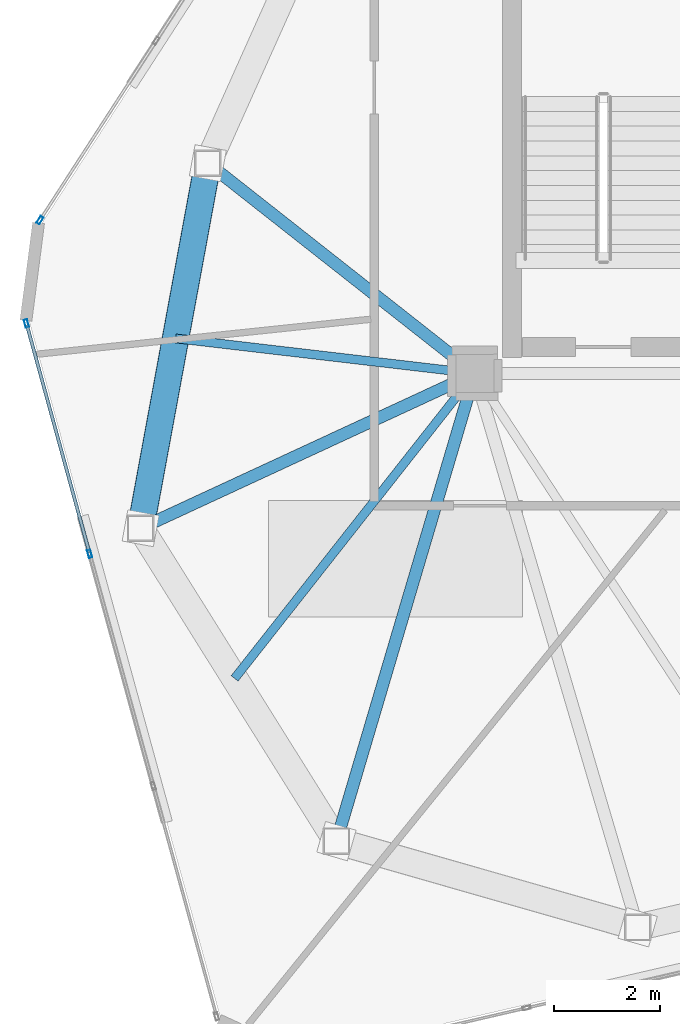
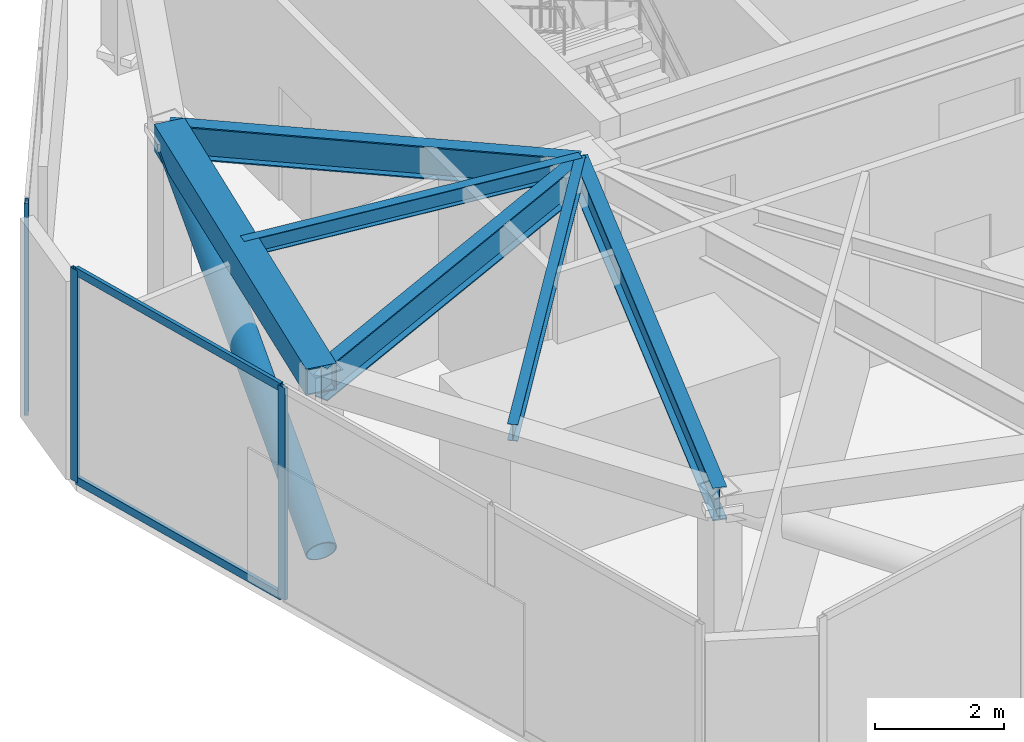
# One storey, part 5 of 21: 6 beams, 6 members, 2 elements without a shape of their own.
"""IFC4 building model written with IfcOpenShell, lengths in metres."""

import ifcopenshell
import ifcopenshell.guid

model = None  # the IFC model being written
_history = None  # IfcOwnerHistory: only IFC2X3 demands one
_inside = {}  # id of a spatial element -> (the spatial element, [elements in it])
_under = {}  # id of a project, library or spatial element -> (it, [spatial elements below it])
_declared = {}  # id of a project -> (the project, [libraries it declares])
_typed = {}  # id of a type object -> (the type object, [elements of that type])
_made_of = {}  # id of a material, layer set ... -> (it, [elements and type objects made of it])


def new_model(schema):
    """Start an empty IFC model of exactly this schema.

    Asked for "IFC4X3", IfcOpenShell would pick the latest addendum, in which some entities
    have other attributes; the version numbers below select the first issue.
    IFC2X3 requires an IfcOwnerHistory on every rooted entity: one is made here for all.
    """
    global model, _history
    if schema == "IFC4X3":
        model = ifcopenshell.file(schema_version=(4, 3, 0, 0))
    else:
        model = ifcopenshell.file(schema=schema)
    _inside.clear()
    _under.clear()
    _declared.clear()
    _typed.clear()
    _made_of.clear()
    _history = None
    if model.schema == "IFC2X3":
        org = make("IfcOrganization", Name="unknown")
        user = make(
            "IfcPersonAndOrganization",
            ThePerson=make("IfcPerson", FamilyName="unknown"),
            TheOrganization=org,
        )
        app = make(
            "IfcApplication",
            ApplicationDeveloper=org,
            Version="unknown",
            ApplicationFullName="unknown",
            ApplicationIdentifier="unknown",
        )
        _history = make(
            "IfcOwnerHistory",
            OwningUser=user,
            OwningApplication=app,
            ChangeAction="ADDED",
            CreationDate=0,
        )
    return model


def make(cls, **values):
    """One entity of the class cls with the attributes given. An attribute that is None is left unset."""
    return model.create_entity(
        cls, **{name: value for name, value in values.items() if value is not None}
    )


def rooted(cls, **values):
    """An entity with a GlobalId (a new one), such as an element, a storey or a relation."""
    return make(cls, GlobalId=ifcopenshell.guid.new(), OwnerHistory=_history, **values)


def si_unit(unit_type, name, prefix=None):
    """IfcSIUnit, for example si_unit("LENGTHUNIT", "METRE", prefix="MILLI")."""
    return make("IfcSIUnit", UnitType=unit_type, Prefix=prefix, Name=name)


def assignment(units):
    """IfcUnitAssignment: the units of a project."""
    return None if units is None else make("IfcUnitAssignment", Units=units)


def point(xyz):
    """IfcCartesianPoint."""
    return None if xyz is None else make("IfcCartesianPoint", Coordinates=xyz)


def direction(xyz):
    """IfcDirection."""
    return None if xyz is None else make("IfcDirection", DirectionRatios=xyz)


def frame(location, z_axis=None, x_axis=None):
    """IfcAxis2Placement3D, a coordinate frame: its origin and axes. An axis left out is left unset."""
    return make(
        "IfcAxis2Placement3D",
        Location=point(location),
        Axis=direction(z_axis),
        RefDirection=direction(x_axis),
    )


def frame_2d(location, x_axis=None):
    """IfcAxis2Placement2D, a coordinate frame in the plane: its origin and x axis."""
    return make(
        "IfcAxis2Placement2D", Location=point(location), RefDirection=direction(x_axis)
    )


def origin():
    """The frame at (0, 0, 0) with its axes left unset."""
    return frame((0.0, 0.0, 0.0))


def origin_2d():
    """The frame at (0, 0) in the plane with its x axis left unset."""
    return frame_2d((0.0, 0.0))


def place(relative_to, where):
    """IfcLocalPlacement: puts the frame where relative to a parent placement (None: the world)."""
    return make(
        "IfcLocalPlacement", PlacementRelTo=relative_to, RelativePlacement=where
    )


def context(
    kind, dimensions, precision=None, world=None, true_north=None, identifier=None
):
    """IfcGeometricRepresentationContext, for example the 3D "Model" context."""
    return make(
        "IfcGeometricRepresentationContext",
        ContextIdentifier=identifier,
        ContextType=kind,
        CoordinateSpaceDimension=dimensions,
        Precision=precision,
        WorldCoordinateSystem=world,
        TrueNorth=true_north,
    )


def subcontext(parent, identifier, kind, view, scale=None):
    """IfcGeometricRepresentationSubContext, for example "Body" below "Model"."""
    return make(
        "IfcGeometricRepresentationSubContext",
        ContextIdentifier=identifier,
        ContextType=kind,
        ParentContext=parent,
        TargetScale=scale,
        TargetView=view,
    )


def project(units=None, contexts=None):
    """IfcProject with its units and contexts."""
    return rooted(
        "IfcProject",
        Name="project",
        RepresentationContexts=contexts,
        UnitsInContext=assignment(units),
    )


def spatial(cls, under=None, at=None, **own):
    """A site, building, storey or space (cls), placed at a placement, below another one or the project."""
    s = rooted(cls, ObjectPlacement=at, **own)
    if under is not None:
        _under.setdefault(under.id(), (under, []))[1].append(s)
    return s


def profile(cls, at=None, kind="AREA", **sizes):
    """A parametric profile (cls). Its sizes go by their IFC names, for example OverallWidth=200.0."""
    return make(cls, ProfileType=kind, Position=at, **sizes)


def hollow_rectangle(**sizes):
    """IfcRectangleHollowProfileDef."""
    return profile("IfcRectangleHollowProfileDef", **sizes)


def hollow_circle(**sizes):
    """IfcCircleHollowProfileDef."""
    return profile("IfcCircleHollowProfileDef", **sizes)


def i_section(**sizes):
    """IfcIShapeProfileDef."""
    return profile("IfcIShapeProfileDef", **sizes)


def extrude(swept, where, along, depth):
    """IfcExtrudedAreaSolid: the profile swept, set in the frame where, extruded along a direction by depth."""
    return make(
        "IfcExtrudedAreaSolid",
        SweptArea=swept,
        Position=where,
        ExtrudedDirection=direction(along),
        Depth=depth,
    )


def shape(context_of_items, identifier, shape_type, items):
    """IfcShapeRepresentation: the items that make up one representation, for example the "Body"."""
    return make(
        "IfcShapeRepresentation",
        ContextOfItems=context_of_items,
        RepresentationIdentifier=identifier,
        RepresentationType=shape_type,
        Items=items,
    )


def source(mapping_origin, context_of_items, identifier, shape_type, items):
    """IfcRepresentationMap: a shape defined once, which mapped items show again and again."""
    return make(
        "IfcRepresentationMap",
        MappingOrigin=mapping_origin,
        MappedRepresentation=shape(context_of_items, identifier, shape_type, items),
    )


def transform(
    local_origin,
    x_axis=None,
    y_axis=None,
    z_axis=None,
    scale=None,
    scale2=None,
    scale3=None,
    uniform=True,
):
    """IfcCartesianTransformationOperator3D, or its non-uniform kind. x_axis, y_axis, z_axis: its Axis1, 2, 3."""
    if uniform:
        return make(
            "IfcCartesianTransformationOperator3D",
            Axis1=direction(x_axis),
            Axis2=direction(y_axis),
            LocalOrigin=point(local_origin),
            Scale=scale,
            Axis3=direction(z_axis),
        )
    return make(
        "IfcCartesianTransformationOperator3DnonUniform",
        Axis1=direction(x_axis),
        Axis2=direction(y_axis),
        LocalOrigin=point(local_origin),
        Scale=scale,
        Axis3=direction(z_axis),
        Scale2=scale2,
        Scale3=scale3,
    )


def mapped(mapping_source, mapping_target):
    """IfcMappedItem: shows the shape of a source again, moved by a transform."""
    return make(
        "IfcMappedItem", MappingSource=mapping_source, MappingTarget=mapping_target
    )


def material(Name=None, Category=None):
    """IfcMaterial."""
    return make("IfcMaterial", Name=Name, Category=Category)


def layer(
    of_material, thickness, ventilated=None, Name=None, Category=None, Priority=None
):
    """IfcMaterialLayer: one layer of a wall or slab, of a material (None: an air gap)."""
    return make(
        "IfcMaterialLayer",
        Material=of_material,
        LayerThickness=thickness,
        IsVentilated=ventilated,
        Name=Name,
        Category=Category,
        Priority=Priority,
    )


def layer_set(layers, Name=None):
    """IfcMaterialLayerSet."""
    return make("IfcMaterialLayerSet", MaterialLayers=layers, LayerSetName=Name)


def material_profile(
    of_material, cross_section, Name=None, Category=None, Priority=None
):
    """IfcMaterialProfile: a cross section and its material."""
    return make(
        "IfcMaterialProfile",
        Name=Name,
        Material=of_material,
        Profile=cross_section,
        Priority=Priority,
        Category=Category,
    )


def profile_set(profiles, Name=None, composite=None):
    """IfcMaterialProfileSet."""
    return make(
        "IfcMaterialProfileSet",
        Name=Name,
        MaterialProfiles=profiles,
        CompositeProfile=composite,
    )


def made_of(thing, what):
    """Note that an element or type object is made of a material, layer set ...; save() writes the relation."""
    if what is not None:
        _made_of.setdefault(what.id(), (what, []))[1].append(thing)
    return thing


def type_object(cls, material=None, **own):
    """A type object (cls), such as IfcWallType, which elements share."""
    return made_of(rooted(cls, **own), material)


def type_shapes(of_type, sources):
    """Give a type object the sources (RepresentationMaps) that its elements show as mapped items."""
    of_type.RepresentationMaps = sources


def element(
    cls,
    number,
    at=None,
    inside=None,
    cuts=None,
    type_object=None,
    material=None,
    context=None,
    identifier="Body",
    shape_type=None,
    held_by="IfcProductDefinitionShape",
    body=None,
    shapes=None,
    **own,
):
    """One element of the class cls, such as IfcWall. Its Tag is "e" and its number.

    at: its placement. inside: the storey or other place that contains it. cuts: it is an
    opening in that element (IfcRelVoidsElement). A single representation is given by context,
    identifier, shape_type and body (its items); several are given by shapes. held_by: the class
    of the entity that holds the representations. save() writes the other relations.
    """
    e = rooted(cls, Tag="e%d" % number, ObjectPlacement=at, **own)
    if body is not None:
        shapes = [shape(context, identifier, shape_type, body)]
    if shapes is not None:
        e.Representation = make(held_by, Representations=shapes)
    if inside is not None:
        _inside.setdefault(inside.id(), (inside, []))[1].append(e)
    if cuts is not None:
        rooted(
            "IfcRelVoidsElement", RelatingBuildingElement=cuts, RelatedOpeningElement=e
        )
    if type_object is not None:
        _typed.setdefault(type_object.id(), (type_object, []))[1].append(e)
    return made_of(e, material)


def aggregate(whole, parts):
    """IfcRelAggregates: a whole, such as a stair, and the parts it consists of."""
    return rooted("IfcRelAggregates", RelatingObject=whole, RelatedObjects=parts)


def save(model, path):
    """Write the relations noted so far, then the file.

    IfcRelAggregates (storeys below a building ...), IfcRelContainedInSpatialStructure (elements
    in a storey), IfcRelDefinesByType, IfcRelAssociatesMaterial and IfcRelDeclares: one each for
    every whole, place, type object, material and project.
    """
    for whole, parts in _under.values():
        aggregate(whole, parts)
    for where, things in _inside.values():
        rooted(
            "IfcRelContainedInSpatialStructure",
            RelatedElements=things,
            RelatingStructure=where,
        )
    for kind, things in _typed.values():
        rooted("IfcRelDefinesByType", RelatedObjects=things, RelatingType=kind)
    for what, things in _made_of.values():
        rooted("IfcRelAssociatesMaterial", RelatedObjects=things, RelatingMaterial=what)
    for by, libraries in _declared.values():
        rooted("IfcRelDeclares", RelatingContext=by, RelatedDefinitions=libraries)
    model.write(path)


model = new_model("IFC4")

# Units and contexts
model_context = context("Model", 3, precision=1e-05, world=origin(), true_north=direction((0.0, 1.0)))
body_context = subcontext(model_context, "Body", "Model", "MODEL_VIEW")
ifc_project = project(units=[si_unit("LENGTHUNIT", "METRE"), si_unit("AREAUNIT", "SQUARE_METRE"), si_unit("VOLUMEUNIT", "CUBIC_METRE"), si_unit("PLANEANGLEUNIT", "RADIAN"), si_unit("MASSUNIT", "GRAM", prefix="KILO")], contexts=[model_context])

# Site, building, storey
site_placement = place(None, origin())
site = spatial("IfcSite", under=ifc_project, at=site_placement, CompositionType="ELEMENT")
building_placement = place(site_placement, origin())
building = spatial("IfcBuilding", under=site, at=building_placement, Name="Talar Marvaseh", CompositionType="ELEMENT")
storey_placement = place(building_placement, frame((0.0, 0.0, 304.0)))
storey = spatial("IfcBuildingStorey", under=building, at=storey_placement, Name="L81", CompositionType="ELEMENT", Elevation=304.0)

# Beams
ifc_material_1 = material(Name="Steel S460", Category="steel")
ifc_material_profile_1 = material_profile(ifc_material_1, hollow_rectangle(XDim=0.5, YDim=0.5, WallThickness=0.02490234375, at=origin_2d()), Name="BOX500x500x25")
ifc_profile_set_1 = profile_set([ifc_material_profile_1], Name="Steel S460")
beam_type_1 = type_object("IfcBeamType", Name="Crown Frame Top Ring Beam BOX500x500x25", PredefinedType="BEAM", material=ifc_profile_set_1)
beam_1_placement = place(storey_placement, frame((12.388916015625, 22.576904296875, 3.489990234375), z_axis=(0.18106135948, 0.983471801377, 0.0), x_axis=(-0.983471801377, 0.18106135948, 0.0)))
element("IfcBeam", 1, at=beam_1_placement, inside=storey, type_object=beam_type_1, Name="L81 Crown Frame Top Ring Beam BOX500x500x25", PredefinedType="BEAM", context=body_context, shape_type="SweptSolid", body=[
    extrude(hollow_rectangle(XDim=0.5, YDim=0.5, WallThickness=0.02490234375, at=origin_2d()), origin(), (0.0, 0.0, 1.0), 7.0087890625),
])
ifc_material_2 = material(Name="Steel S355", Category="steel")
ifc_material_profile_2 = material_profile(ifc_material_2, i_section(OverallWidth=0.166015625, OverallDepth=0.31298828125, WebThickness=0.006591796875, FlangeThickness=0.01123046875, at=origin_2d()), Name="W310x45")
ifc_profile_set_2 = profile_set([ifc_material_profile_2], Name="Steel S355")
beam_type_2 = type_object("IfcBeamType", Name="Zone 3 Secondary Floor Joist W310x45", PredefinedType="JOIST", material=ifc_profile_set_2)
beam_2_placement = place(storey_placement, frame((13.048828125, 26.161376953125, 3.58349609375), z_axis=(0.993221011039, -0.116241228622, 0.0), x_axis=(0.116241228622, 0.993221011039, 0.0)))
element("IfcBeam", 2, at=beam_2_placement, inside=storey, type_object=beam_type_2, Name="L81 Zone 3 Secondary Floor Joist W310x45", PredefinedType="JOIST", context=body_context, shape_type="SweptSolid", body=[
    extrude(i_section(OverallWidth=0.166015625, OverallDepth=0.31298828125, WebThickness=0.006591796875, FlangeThickness=0.01123046875, at=origin_2d()), origin(), (0.0, 0.0, 1.0), 5.689697265625),
])
beam_3_placement = place(storey_placement, frame((14.1640625, 19.74072265625, 3.58349609375), z_axis=(0.618727137907, 0.785605962819, 0.0), x_axis=(-0.785605962819, 0.618727137907, 0.0)))
element("IfcBeam", 3, at=beam_3_placement, inside=storey, type_object=beam_type_2, Name="L81 Zone 3 Secondary Floor Joist W310x45", PredefinedType="JOIST", context=body_context, shape_type="SweptSolid", body=[
    extrude(i_section(OverallWidth=0.166015625, OverallDepth=0.31298828125, WebThickness=0.006591796875, FlangeThickness=0.01123046875, at=origin_2d()), origin(), (0.0, 0.0, 1.0), 7.3310546875),
])
ifc_material_profile_3 = material_profile(ifc_material_2, i_section(OverallWidth=0.22998046875, OverallDepth=0.616943359375, WebThickness=0.01318359375, FlangeThickness=0.022216796875, at=origin_2d()), Name="W610x140")
ifc_profile_set_3 = profile_set([ifc_material_profile_3], Name="Steel S355")
beam_type_3 = type_object("IfcBeamType", Name="Zone 4 Radial Floor Girder W610x140", PredefinedType="BEAM", material=ifc_profile_set_3)
beam_4_placement = place(storey_placement, frame((12.388916015625, 22.576904296875, 3.431396484375), z_axis=(0.907394527995, 0.420279871709, 0.0), x_axis=(-0.420279871709, 0.907394527995, 0.0)))
element("IfcBeam", 4, at=beam_4_placement, inside=storey, type_object=beam_type_3, Name="L81 Zone 4 Radial Floor Girder W610x140", PredefinedType="BEAM", context=body_context, shape_type="SweptSolid", body=[
    extrude(i_section(OverallWidth=0.22998046875, OverallDepth=0.616943359375, WebThickness=0.01318359375, FlangeThickness=0.022216796875, at=origin_2d()), origin(), (0.0, 0.0, 1.0), 6.955078125),
])
beam_5_placement = place(storey_placement, frame((13.657958984375, 29.469970703125, 3.431396484375), z_axis=(0.785681617372, -0.618631066245, 0.0), x_axis=(0.618631066245, 0.785681617372, 0.0)))
element("IfcBeam", 5, at=beam_5_placement, inside=storey, type_object=beam_type_3, Name="L81 Zone 4 Radial Floor Girder W610x140", PredefinedType="BEAM", context=body_context, shape_type="SweptSolid", body=[
    extrude(i_section(OverallWidth=0.22998046875, OverallDepth=0.616943359375, WebThickness=0.01318359375, FlangeThickness=0.022216796875, at=origin_2d()), origin(), (0.0, 0.0, 1.0), 6.417236328125),
])
beam_6_placement = place(storey_placement, frame((16.0869140625, 16.66796875, 3.431396484375), z_axis=(0.283702937759, 0.958912218666, 0.0), x_axis=(-0.958912218666, 0.283702937759, 0.0)))
element("IfcBeam", 6, at=beam_6_placement, inside=storey, type_object=beam_type_3, Name="L81 Zone 4 Radial Floor Girder W610x140", PredefinedType="BEAM", context=body_context, shape_type="SweptSolid", body=[
    extrude(i_section(OverallWidth=0.22998046875, OverallDepth=0.616943359375, WebThickness=0.01318359375, FlangeThickness=0.022216796875, at=origin_2d()), origin(), (0.0, 0.0, 1.0), 9.21044921875),
])

# Member
ifc_material_profile_4 = material_profile(ifc_material_1, hollow_circle(Radius=0.25390625, WallThickness=0.02001953125, at=origin_2d()), Name="CHS508x20")
ifc_profile_set_4 = profile_set([ifc_material_profile_4], Name="Steel S460")
member_type_1 = type_object("IfcMemberType", Name="Crown Frame Diagonal Brace CHS508x20", PredefinedType="BRACE", material=ifc_profile_set_4)
shared_shape_1 = source(origin(), body_context, "Body", "SweptSolid", [
    extrude(hollow_circle(Radius=0.25390625, WallThickness=0.02001953125, at=origin_2d()), origin(), (0.0, 0.0, 1.0), 7.721435546875),
])
type_shapes(member_type_1, [shared_shape_1])
member_1_placement = place(storey_placement, frame((12.388916015625, 22.576904296875, 0.25), z_axis=(0.164350755553, 0.892704738799, 0.419603477672), x_axis=(-0.983471801377, 0.18106135948, 0.0)))
element("IfcMember", 7, at=member_1_placement, inside=storey, type_object=member_type_1, Name="L81 Crown Frame Diagonal Brace 1", PredefinedType="BRACE", context=body_context, shape_type="MappedRepresentation", body=[
    mapped(shared_shape_1, transform((0.0, 0.0, 0.0), x_axis=(1.0, 0.0, 0.0), y_axis=(0.0, 1.0, 0.0), z_axis=(0.0, 0.0, 1.0), scale=1.0)),
])

# Curtain wall, members
ifc_material_3 = material(Name="Architectural Aluminium", Category="aluminium")
ifc_layer = layer(ifc_material_3, 0.2099609375)
ifc_layer_set = layer_set([ifc_layer], Name="Architectural Aluminium")
curtain_wall_type = type_object("IfcCurtainWallType", Name="Crown Plant Acoustic Spandrel Curtain Wall", PredefinedType="NOTDEFINED", material=ifc_layer_set)
curtain_wall_1_placement = place(storey_placement, origin())
curtain_wall_1 = element("IfcCurtainWall", 8, at=curtain_wall_1_placement, inside=storey, type_object=curtain_wall_type, Name="L81 Crown Plant Acoustic Spandrel Curtain Wall", PredefinedType="NOTDEFINED")
ifc_material_profile_5 = material_profile(ifc_material_3, hollow_rectangle(XDim=0.06494140625, YDim=0.14990234375, WallThickness=0.00390625, at=origin_2d()), Name="RHS150x65x4")
ifc_profile_set_5 = profile_set([ifc_material_profile_5], Name="Architectural Aluminium")
member_type_2 = type_object("IfcMemberType", Name="Unitised Curtain Wall Slim Transom RHS150x65x4", PredefinedType="USERDEFINED", material=ifc_profile_set_5)
shared_shape_2 = source(origin(), body_context, "Body", "SweptSolid", [
    extrude(hollow_rectangle(XDim=0.06494140625, YDim=0.14990234375, WallThickness=0.00390625, at=origin_2d()), origin(), (0.0, 0.0, 1.0), 4.447509765625),
])
type_shapes(member_type_2, [shared_shape_2])
member_2_placement = place(storey_placement, frame((11.418701171875, 22.12451171875, 0.032470703125), z_axis=(-0.264649917498, 0.964344555213, 0.0), x_axis=(-0.964344555213, -0.264649917498, 0.0)))
member_2 = element("IfcMember", 9, at=member_2_placement, type_object=member_type_2, Name="CW-CRN transom 3.1", ObjectType="TRANSOM", PredefinedType="USERDEFINED", context=body_context, shape_type="MappedRepresentation", body=[
    mapped(shared_shape_2, transform((0.0, 0.0, 0.0), x_axis=(1.0, 0.0, 0.0), y_axis=(0.0, 1.0, 0.0), z_axis=(0.0, 0.0, 1.0), scale=1.0)),
])
member_3_placement = place(storey_placement, frame((11.418701171875, 22.12451171875, 3.967529296875), z_axis=(-0.264649917498, 0.964344555213, 0.0), x_axis=(-0.964344555213, -0.264649917498, 0.0)))
member_3 = element("IfcMember", 10, at=member_3_placement, type_object=member_type_2, Name="CW-CRN transom 3.2", ObjectType="TRANSOM", PredefinedType="USERDEFINED", context=body_context, shape_type="MappedRepresentation", body=[
    mapped(shared_shape_2, transform((0.0, 0.0, 0.0), x_axis=(1.0, 0.0, 0.0), y_axis=(0.0, 1.0, 0.0), z_axis=(0.0, 0.0, 1.0), scale=1.0)),
])
ifc_material_profile_6 = material_profile(ifc_material_3, hollow_rectangle(XDim=0.06494140625, YDim=0.14990234375, WallThickness=0.00390625, at=origin_2d()), Name="RHS150x65x4")
ifc_profile_set_6 = profile_set([ifc_material_profile_6], Name="Architectural Aluminium")
member_type_3 = type_object("IfcMemberType", Name="Unitised Curtain Wall Slim Mullion RHS150x65x4", PredefinedType="MULLION", material=ifc_profile_set_6)
shared_shape_3 = source(origin(), body_context, "Body", "SweptSolid", [
    extrude(hollow_rectangle(XDim=0.06494140625, YDim=0.14990234375, WallThickness=0.00390625, at=origin_2d()), origin(), (0.0, 0.0, 1.0), 4.0),
])
type_shapes(member_type_3, [shared_shape_3])
member_4_placement = place(storey_placement, frame((11.427490234375, 22.09326171875, 0.0), z_axis=(0.0, 0.0, 1.0), x_axis=(-0.964344721115, -0.264649312974, 0.0)))
member_4 = element("IfcMember", 11, at=member_4_placement, type_object=member_type_3, Name="CW-CRN mullion 3", PredefinedType="MULLION", context=body_context, shape_type="MappedRepresentation", body=[
    mapped(shared_shape_3, transform((0.0, 0.0, 0.0), x_axis=(1.0, 0.0, 0.0), y_axis=(0.0, 1.0, 0.0), z_axis=(0.0, 0.0, 1.0), scale=1.0)),
])
member_5_placement = place(storey_placement, frame((10.233154296875, 26.444580078125, 0.0), z_axis=(0.0, 0.0, 1.0), x_axis=(-0.964344721115, -0.264649312974, 0.0)))
member_5 = element("IfcMember", 12, at=member_5_placement, type_object=member_type_3, Name="CW-CRN mullion 4", PredefinedType="MULLION", context=body_context, shape_type="MappedRepresentation", body=[
    mapped(shared_shape_3, transform((0.0, 0.0, 0.0), x_axis=(1.0, 0.0, 0.0), y_axis=(0.0, 1.0, 0.0), z_axis=(0.0, 0.0, 1.0), scale=1.0)),
])
aggregate(curtain_wall_1, [member_4, member_5, member_2, member_3])

# Curtain wall, member
curtain_wall_2_placement = place(storey_placement, origin())
curtain_wall_2 = element("IfcCurtainWall", 13, at=curtain_wall_2_placement, inside=storey, type_object=curtain_wall_type, Name="L81 Crown Plant Acoustic Spandrel Curtain Wall", PredefinedType="NOTDEFINED")
member_6_placement = place(storey_placement, frame((10.488037109375, 28.39306640625, 0.0), z_axis=(0.0, 0.0, 1.0), x_axis=(-0.839314430427, 0.543646288387, 0.0)))
member_6 = element("IfcMember", 14, at=member_6_placement, type_object=member_type_3, Name="CW-CRN mullion 1", PredefinedType="MULLION", context=body_context, shape_type="MappedRepresentation", body=[
    mapped(shared_shape_3, transform((0.0, 0.0, 0.0), x_axis=(1.0, 0.0, 0.0), y_axis=(0.0, 1.0, 0.0), z_axis=(0.0, 0.0, 1.0), scale=1.0)),
])
aggregate(curtain_wall_2, [member_6])

save(model, "model.ifc")
